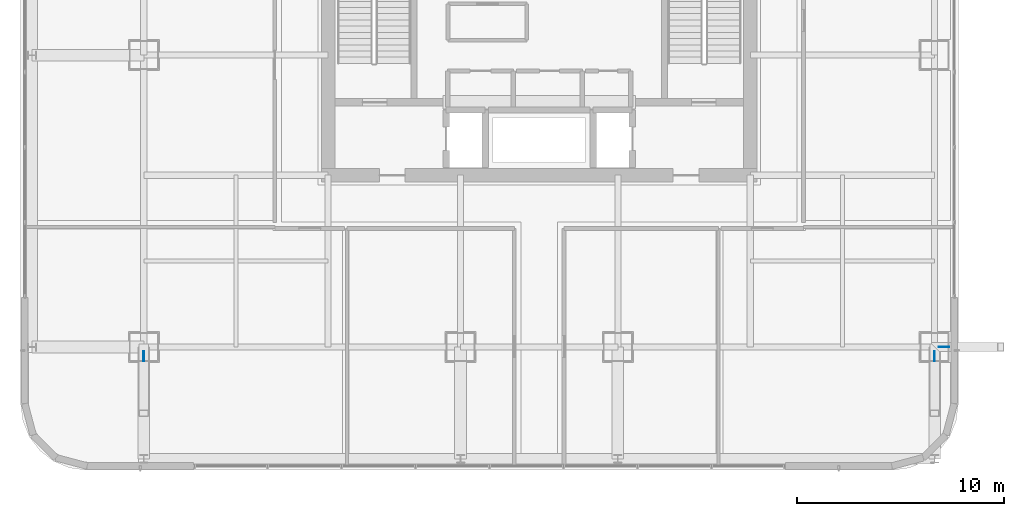
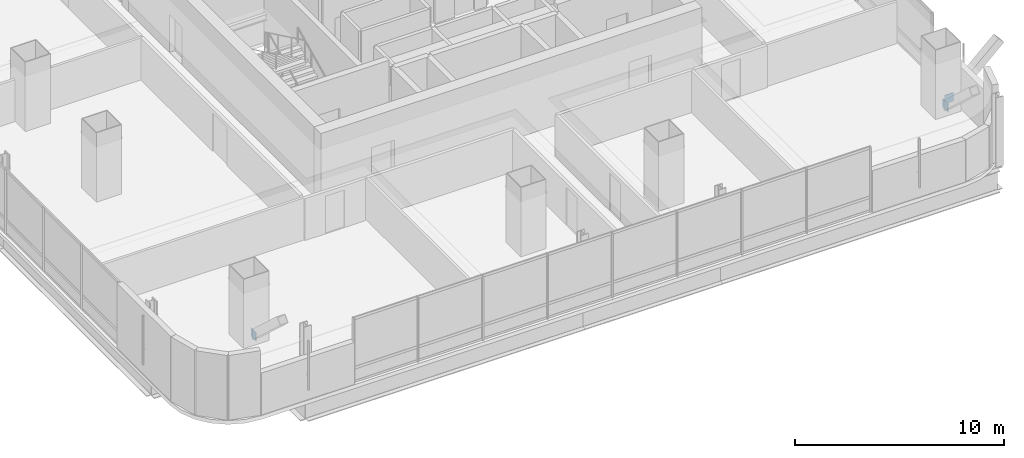
# One storey, part 30 of 46: 3 plates.
"""IFC4 building model written with IfcOpenShell, lengths in metres."""

from ifc_helpers import new_model, si_unit, direction, frame, origin, origin_2d, place, context, subcontext, project, spatial, rectangle, extrude, material, layer, layer_set, type_object, element, save


model = new_model("IFC4")

# Units and contexts
model_context = context("Model", 3, precision=1e-05, world=origin(), true_north=direction((0.0, 1.0)))
body_context = subcontext(model_context, "Body", "Model", "MODEL_VIEW")
ifc_project = project(units=[si_unit("LENGTHUNIT", "METRE"), si_unit("AREAUNIT", "SQUARE_METRE"), si_unit("VOLUMEUNIT", "CUBIC_METRE"), si_unit("PLANEANGLEUNIT", "RADIAN"), si_unit("MASSUNIT", "GRAM", prefix="KILO")], contexts=[model_context])

# Site, building, storey
site_placement = place(None, origin())
site = spatial("IfcSite", under=ifc_project, at=site_placement, CompositionType="ELEMENT")
building_placement = place(site_placement, origin())
building = spatial("IfcBuilding", under=site, at=building_placement, Name="Punatoya Terracotta Tower", CompositionType="ELEMENT")
storey_placement = place(building_placement, frame((0.0, 0.0, 200.550048828125)))
storey = spatial("IfcBuildingStorey", under=building, at=storey_placement, Name="L47", CompositionType="ELEMENT", Elevation=200.550048828125)

# Plates
ifc_material = material(Name="Steel S460", Category="steel")
ifc_layer = layer(ifc_material, 0.031982421875)
ifc_layer_set = layer_set([ifc_layer], Name="Steel S460")
plate_type = type_object("IfcPlateType", Name="PLT-END-32", PredefinedType="USERDEFINED", material=ifc_layer_set)
for number, where, z_axis, x_axis, name in (
    (1, (19.548095703125, -17.5, 0.182861328125), (0.0, 0.0, 1.0), (1.0, 0.0, 0.0), "L48 Knee-Strut Base Gusset Plate E1"),
    (2, (-19.10009765625, -17.947998046875, 0.182861328125), (0.0, 0.0, 1.0), (0.0, 1.0, 0.0), "L48 Knee-Strut Base Gusset Plate S1"),
    (3, (19.10009765625, -17.947998046875, 0.182861328125), (0.0, 0.0, 1.0), (0.0, 1.0, 0.0), "L48 Knee-Strut Base Gusset Plate S2"),
):
    element("IfcPlate", number, at=place(storey_placement, frame(where, z_axis=z_axis, x_axis=x_axis)), inside=storey, type_object=plate_type, Name=name, ObjectType="FLANGE_PLATE", PredefinedType="USERDEFINED", context=body_context, shape_type="SweptSolid", body=[
        extrude(rectangle(XDim=0.5, YDim=0.031982421875, at=origin_2d()), origin(), (0.0, 0.0, 1.0), 0.5),
    ])

save(model, "model.ifc")
